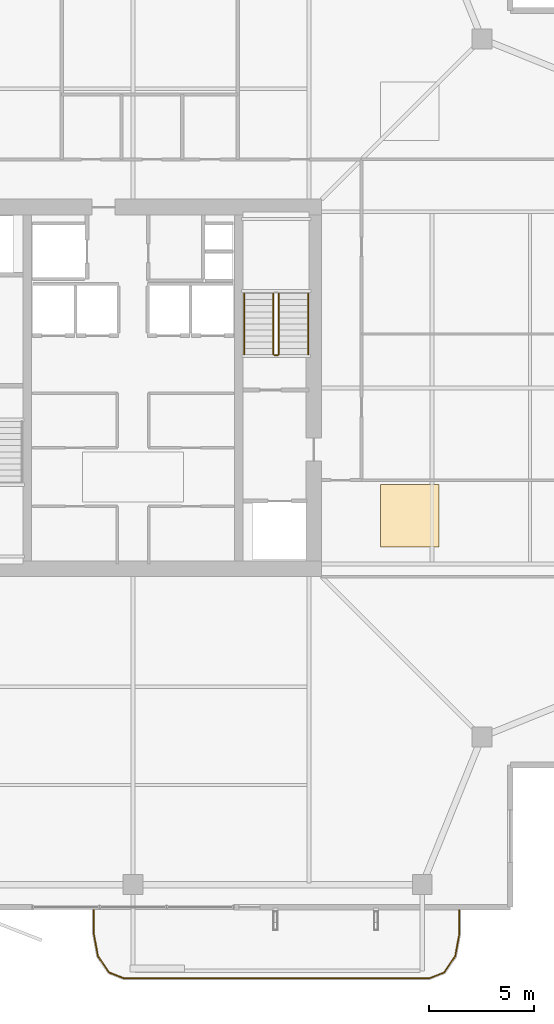
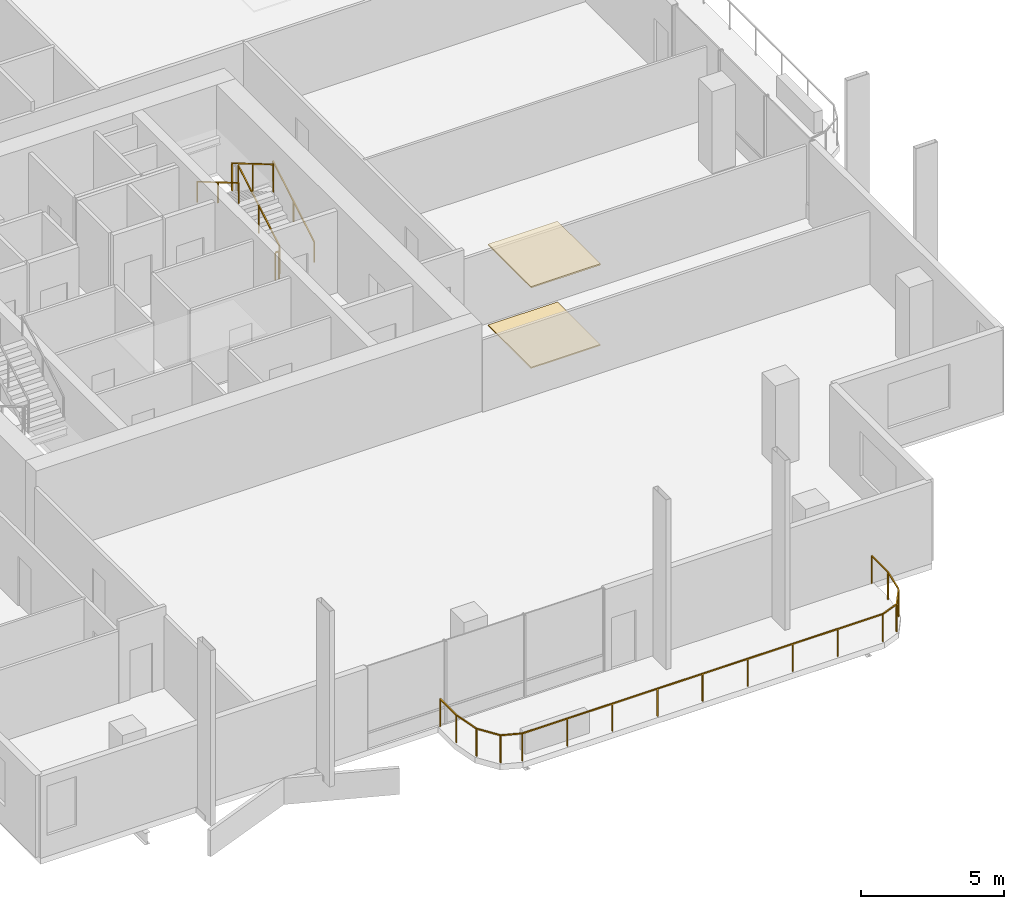
# One storey, part 23 of 25: 6 railings, 2 coverings.
"""IFC4 building model written with IfcOpenShell, lengths in metres."""

from ifc_helpers import new_model, si_unit, direction, frame, origin, origin_2d, place, context, subcontext, project, spatial, polyline, rectangle, outline, extrude, material, layer, layer_set, type_object, element, save


model = new_model("IFC4")

# Units and contexts
model_context = context("Model", 3, precision=1e-05, world=origin(), true_north=direction((0.0, 1.0)))
body_context = subcontext(model_context, "Body", "Model", "MODEL_VIEW")
ifc_project = project(units=[si_unit("LENGTHUNIT", "METRE"), si_unit("AREAUNIT", "SQUARE_METRE"), si_unit("VOLUMEUNIT", "CUBIC_METRE"), si_unit("PLANEANGLEUNIT", "RADIAN"), si_unit("MASSUNIT", "GRAM", prefix="KILO")], contexts=[model_context])

# Site, building, storey
site_placement = place(None, origin())
site = spatial("IfcSite", under=ifc_project, at=site_placement, CompositionType="ELEMENT")
building_placement = place(site_placement, origin())
building = spatial("IfcBuilding", under=site, at=building_placement, Name="Belovzor Exchange Tower", CompositionType="ELEMENT")
storey_placement = place(building_placement, frame((0.0, 0.0, 272.85009765625)))
storey = spatial("IfcBuildingStorey", under=building, at=storey_placement, Name="L68", CompositionType="ELEMENT", Elevation=272.85009765625)

# Railings
ifc_material_1 = material(Name="Stainless Steel Grade 304", Category="steel")
railing_type_1 = type_object("IfcRailingType", Name="Brushed Stainless Steel Stair Handrail 900", PredefinedType="HANDRAIL", material=ifc_material_1)
railing_1_placement = place(storey_placement, frame((37.14990234375, 30.39990234375, 0.17041015625)))
element("IfcRailing", 1, at=railing_1_placement, inside=storey, type_object=railing_type_1, Name="L68 ST-2 stair handrail 1", PredefinedType="HANDRAIL", context=body_context, shape_type="SweptSolid", body=[
    extrude(rectangle(XDim=0.048095703125, YDim=0.048095703125, at=origin_2d()), frame((0.0, 0.0, 0.8759765625), z_axis=(0.0, 0.862113265706, 0.506715617574), x_axis=(-1.0, 0.0, 0.0)), (0.0, 0.0, 1.0), 3.364013671875),
    extrude(rectangle(XDim=0.0419921875, YDim=0.0419921875, at=origin_2d()), origin(), (0.0, 0.0, 1.0), 0.851806640625),
    extrude(rectangle(XDim=0.0419921875, YDim=0.0419921875, at=origin_2d()), frame((0.0, 1.4501953125, 0.852294921875)), (0.0, 0.0, 1.0), 0.851806640625),
    extrude(rectangle(XDim=0.0419921875, YDim=0.0419921875, at=origin_2d()), frame((0.0, 2.900146484375, 1.70458984375)), (0.0, 0.0, 1.0), 0.851806640625),
])
railing_2_placement = place(storey_placement, frame((34.10009765625, 33.300048828125, 2.04541015625)))
element("IfcRailing", 2, at=railing_2_placement, inside=storey, type_object=railing_type_1, Name="L68 ST-2 stair handrail 2", PredefinedType="HANDRAIL", context=body_context, shape_type="SweptSolid", body=[
    extrude(rectangle(XDim=0.048095703125, YDim=0.048095703125, at=origin_2d()), frame((0.0, 0.0, 0.8759765625), z_axis=(0.0, -0.862113265706, 0.506715617574), x_axis=(1.0, 0.0, 0.0)), (0.0, 0.0, 1.0), 3.364013671875),
    extrude(rectangle(XDim=0.0419921875, YDim=0.0419921875, at=origin_2d()), origin(), (0.0, 0.0, 1.0), 0.851806640625),
    extrude(rectangle(XDim=0.0419921875, YDim=0.0419921875, at=origin_2d()), frame((0.0, -1.4501953125, 0.852294921875)), (0.0, 0.0, 1.0), 0.851806640625),
    extrude(rectangle(XDim=0.0419921875, YDim=0.0419921875, at=origin_2d()), frame((0.0, -2.900146484375, 1.70458984375)), (0.0, 0.0, 1.0), 0.851806640625),
])
ifc_material_2 = material(Name="Stainless Steel and Laminated Safety Glass", Category="steel")
railing_type_2 = type_object("IfcRailingType", Name="Laminated Glass & Stainless Steel Balcony Balustrade 1200", PredefinedType="BALUSTRADE", material=ifc_material_2)
railing_3_placement = place(storey_placement, frame((26.929931640625, 3.889892578125, 0.0)))
element("IfcRailing", 3, at=railing_3_placement, inside=storey, type_object=railing_type_2, Name="GR-1 Balcony Balustrade L68 South", PredefinedType="BALUSTRADE", context=body_context, shape_type="SweptSolid", body=[
    extrude(rectangle(XDim=0.048095703125, YDim=0.048095703125, at=origin_2d()), frame((0.0, 0.0, 1.17578125), z_axis=(0.0, -1.0, 0.0), x_axis=(1.0, 0.0, 0.0)), (0.0, 0.0, 1.0), 1.1328125),
    extrude(rectangle(XDim=0.048095703125, YDim=0.048095703125, at=origin_2d()), frame((0.0, -1.1328125, 1.17578125), z_axis=(0.180083182347, -0.983651385113, 0.0), x_axis=(0.983651385113, 0.180083182347, 0.0)), (0.0, 0.0, 1.0), 1.093994140625),
    extrude(rectangle(XDim=0.048095703125, YDim=0.048095703125, at=origin_2d()), frame((0.197021484375, -2.208984375, 1.17578125), z_axis=(0.56294695933, -0.826493025367, 0.0), x_axis=(0.826493025367, 0.56294695933, 0.0)), (0.0, 0.0, 1.0), 0.932861328125),
    extrude(rectangle(XDim=0.048095703125, YDim=0.048095703125, at=origin_2d()), frame((0.72216796875, -2.97998046875, 1.17578125), z_axis=(0.930766990125, -0.365612923861, 0.0), x_axis=(0.365612923861, 0.930766990125, 0.0)), (0.0, 0.0, 1.0), 0.765869140625),
    extrude(rectangle(XDim=0.048095703125, YDim=0.048095703125, at=origin_2d()), frame((1.43505859375, -3.260009765625, 1.17578125), z_axis=(1.0, 0.0, 0.0), x_axis=(0.0, 1.0, 0.0)), (0.0, 0.0, 1.0), 14.570068359375),
    extrude(rectangle(XDim=0.048095703125, YDim=0.048095703125, at=origin_2d()), frame((16.005126953125, -3.260009765625, 1.17578125), z_axis=(0.930766990125, 0.365612923861, 0.0), x_axis=(-0.365612923861, 0.930766990125, 0.0)), (0.0, 0.0, 1.0), 0.765869140625),
    extrude(rectangle(XDim=0.048095703125, YDim=0.048095703125, at=origin_2d()), frame((16.718017578125, -2.97998046875, 1.17578125), z_axis=(0.56294695933, 0.826493025367, 0.0), x_axis=(-0.826493025367, 0.56294695933, 0.0)), (0.0, 0.0, 1.0), 0.932861328125),
    extrude(rectangle(XDim=0.048095703125, YDim=0.048095703125, at=origin_2d()), frame((17.2431640625, -2.208984375, 1.17578125), z_axis=(0.180083182347, 0.983651385113, 0.0), x_axis=(-0.983651385113, 0.180083182347, 0.0)), (0.0, 0.0, 1.0), 1.093994140625),
    extrude(rectangle(XDim=0.048095703125, YDim=0.048095703125, at=origin_2d()), frame((17.440185546875, -1.1328125, 1.17578125), z_axis=(0.0, 1.0, 0.0), x_axis=(-1.0, 0.0, 0.0)), (0.0, 0.0, 1.0), 1.1328125),
    extrude(rectangle(XDim=0.0419921875, YDim=0.0419921875, at=origin_2d()), origin(), (0.0, 0.0, 1.0), 1.15185546875),
    extrude(rectangle(XDim=0.0419921875, YDim=0.0419921875, at=origin_2d()), frame((0.0, -1.1328125, 0.0)), (0.0, 0.0, 1.0), 1.15185546875),
    extrude(rectangle(XDim=0.0419921875, YDim=0.0419921875, at=origin_2d()), frame((0.197021484375, -2.208984375, 0.0)), (0.0, 0.0, 1.0), 1.15185546875),
    extrude(rectangle(XDim=0.0419921875, YDim=0.0419921875, at=origin_2d()), frame((0.72216796875, -2.97998046875, 0.0)), (0.0, 0.0, 1.0), 1.15185546875),
    extrude(rectangle(XDim=0.0419921875, YDim=0.0419921875, at=origin_2d()), frame((1.43505859375, -3.260009765625, 0.0)), (0.0, 0.0, 1.0), 1.15185546875),
    extrude(rectangle(XDim=0.0419921875, YDim=0.0419921875, at=origin_2d()), frame((3.25634765625, -3.260009765625, 0.0)), (0.0, 0.0, 1.0), 1.15185546875),
    extrude(rectangle(XDim=0.0419921875, YDim=0.0419921875, at=origin_2d()), frame((5.07763671875, -3.260009765625, 0.0)), (0.0, 0.0, 1.0), 1.15185546875),
    extrude(rectangle(XDim=0.0419921875, YDim=0.0419921875, at=origin_2d()), frame((6.89892578125, -3.260009765625, 0.0)), (0.0, 0.0, 1.0), 1.15185546875),
    extrude(rectangle(XDim=0.0419921875, YDim=0.0419921875, at=origin_2d()), frame((8.72021484375, -3.260009765625, 0.0)), (0.0, 0.0, 1.0), 1.15185546875),
    extrude(rectangle(XDim=0.0419921875, YDim=0.0419921875, at=origin_2d()), frame((10.541259765625, -3.260009765625, 0.0)), (0.0, 0.0, 1.0), 1.15185546875),
    extrude(rectangle(XDim=0.0419921875, YDim=0.0419921875, at=origin_2d()), frame((12.362548828125, -3.260009765625, 0.0)), (0.0, 0.0, 1.0), 1.15185546875),
    extrude(rectangle(XDim=0.0419921875, YDim=0.0419921875, at=origin_2d()), frame((14.183837890625, -3.260009765625, 0.0)), (0.0, 0.0, 1.0), 1.15185546875),
    extrude(rectangle(XDim=0.0419921875, YDim=0.0419921875, at=origin_2d()), frame((16.005126953125, -3.260009765625, 0.0)), (0.0, 0.0, 1.0), 1.15185546875),
    extrude(rectangle(XDim=0.0419921875, YDim=0.0419921875, at=origin_2d()), frame((16.718017578125, -2.97998046875, 0.0)), (0.0, 0.0, 1.0), 1.15185546875),
    extrude(rectangle(XDim=0.0419921875, YDim=0.0419921875, at=origin_2d()), frame((17.2431640625, -2.208984375, 0.0)), (0.0, 0.0, 1.0), 1.15185546875),
    extrude(rectangle(XDim=0.0419921875, YDim=0.0419921875, at=origin_2d()), frame((17.440185546875, -1.1328125, 0.0)), (0.0, 0.0, 1.0), 1.15185546875),
    extrude(rectangle(XDim=0.0419921875, YDim=0.0419921875, at=origin_2d()), frame((17.440185546875, 0.0, 0.0)), (0.0, 0.0, 1.0), 1.15185546875),
])
ifc_material_3 = material(Name="Steel S355", Category="steel")
railing_type_3 = type_object("IfcRailingType", Name="Painted Steel Stairwell Guardrail 1200", PredefinedType="GUARDRAIL", material=ifc_material_3)
railing_4_placement = place(storey_placement, frame((35.75, 30.39990234375, 0.17041015625)))
element("IfcRailing", 4, at=railing_4_placement, inside=storey, type_object=railing_type_3, Name="L68 ST-2 stair guard 1", PredefinedType="GUARDRAIL", context=body_context, shape_type="SweptSolid", body=[
    extrude(rectangle(XDim=0.048095703125, YDim=0.048095703125, at=origin_2d()), frame((0.0, 0.0, 1.17578125), z_axis=(0.0, 0.862113265706, 0.506715617574), x_axis=(-1.0, 0.0, 0.0)), (0.0, 0.0, 1.0), 3.364013671875),
    extrude(rectangle(XDim=0.0419921875, YDim=0.0419921875, at=origin_2d()), origin(), (0.0, 0.0, 1.0), 1.15185546875),
    extrude(rectangle(XDim=0.0419921875, YDim=0.0419921875, at=origin_2d()), frame((0.0, 1.4501953125, 0.852294921875)), (0.0, 0.0, 1.0), 1.15185546875),
    extrude(rectangle(XDim=0.0419921875, YDim=0.0419921875, at=origin_2d()), frame((0.0, 2.900146484375, 1.70458984375)), (0.0, 0.0, 1.0), 1.15185546875),
])
railing_5_placement = place(storey_placement, frame((35.5, 33.300048828125, 2.04541015625)))
element("IfcRailing", 5, at=railing_5_placement, inside=storey, type_object=railing_type_3, Name="L68 ST-2 stair guard 3", PredefinedType="GUARDRAIL", context=body_context, shape_type="SweptSolid", body=[
    extrude(rectangle(XDim=0.048095703125, YDim=0.048095703125, at=origin_2d()), frame((0.0, 0.0, 1.17578125), z_axis=(0.0, -0.862113265706, 0.506715617574), x_axis=(1.0, 0.0, 0.0)), (0.0, 0.0, 1.0), 3.364013671875),
    extrude(rectangle(XDim=0.0419921875, YDim=0.0419921875, at=origin_2d()), origin(), (0.0, 0.0, 1.0), 1.15185546875),
    extrude(rectangle(XDim=0.0419921875, YDim=0.0419921875, at=origin_2d()), frame((0.0, -1.4501953125, 0.852294921875)), (0.0, 0.0, 1.0), 1.15185546875),
    extrude(rectangle(XDim=0.0419921875, YDim=0.0419921875, at=origin_2d()), frame((0.0, -2.900146484375, 1.70458984375)), (0.0, 0.0, 1.0), 1.15185546875),
])
railing_6_placement = place(storey_placement, frame((35.699951171875, 30.35009765625, 0.0)))
element("IfcRailing", 6, at=railing_6_placement, inside=storey, type_object=railing_type_3, Name="L68 ST-2 stair guard 4", PredefinedType="GUARDRAIL", context=body_context, shape_type="SweptSolid", body=[
    extrude(rectangle(XDim=0.048095703125, YDim=0.048095703125, at=origin_2d()), frame((0.0, 0.0, 1.17578125), z_axis=(-1.0, 0.0, 0.0), x_axis=(0.0, -1.0, 0.0)), (0.0, 0.0, 1.0), 0.14990234375),
    extrude(rectangle(XDim=0.0419921875, YDim=0.0419921875, at=origin_2d()), origin(), (0.0, 0.0, 1.0), 1.15185546875),
    extrude(rectangle(XDim=0.0419921875, YDim=0.0419921875, at=origin_2d()), frame((-0.14990234375, 0.0, 0.0)), (0.0, 0.0, 1.0), 1.15185546875),
])

# Coverings
ifc_material_4 = material(Name="Perforated Powder-Coated Aluminium", Category="aluminium")
ifc_layer_1 = layer(ifc_material_4, 0.06005859375)
ifc_layer_set_1 = layer_set([ifc_layer_1], Name="Perforated Powder-Coated Aluminium")
covering_type_1 = type_object("IfcCoveringType", Name="Perforated Acoustic Metal Tile Suspended Ceiling 60", PredefinedType="CEILING", material=ifc_layer_set_1)
covering_1_placement = place(storey_placement, frame((0.0, 0.0, 3.43994140625)))
element("IfcCovering", 7, at=covering_1_placement, inside=storey, type_object=covering_type_1, Name="CLG-AC60 Suspended Ceiling CLG-L68-Z0", PredefinedType="CEILING", context=body_context, shape_type="SweptSolid", body=[
    extrude(outline(polyline([(40.60009765625, 21.199951171875), (43.39990234375, 21.199951171875), (43.39990234375, 24.199951171875), (40.60009765625, 24.199951171875), (40.60009765625, 21.199951171875)])), origin(), (0.0, 0.0, 1.0), 0.06005859375),
])
ifc_material_5 = material(Name="Polished Natural Granite Tile", Category="masonry")
ifc_layer_2 = layer(ifc_material_5, 0.050048828125)
ifc_layer_set_2 = layer_set([ifc_layer_2], Name="Polished Natural Granite Tile")
covering_type_2 = type_object("IfcCoveringType", Name="Polished Karelian Granite & Raised Access Floor Finish 50", PredefinedType="FLOORING", material=ifc_layer_set_2)
covering_2_placement = place(storey_placement, origin())
element("IfcCovering", 8, at=covering_2_placement, inside=storey, type_object=covering_type_2, Name="FLR-GR50 Floor Finish FLR-L68-Z0", PredefinedType="FLOORING", context=body_context, shape_type="SweptSolid", body=[
    extrude(outline(polyline([(40.60009765625, 21.199951171875), (43.39990234375, 21.199951171875), (43.39990234375, 24.199951171875), (40.60009765625, 24.199951171875), (40.60009765625, 21.199951171875)])), origin(), (0.0, 0.0, 1.0), 0.0498046875),
])

save(model, "model.ifc")
